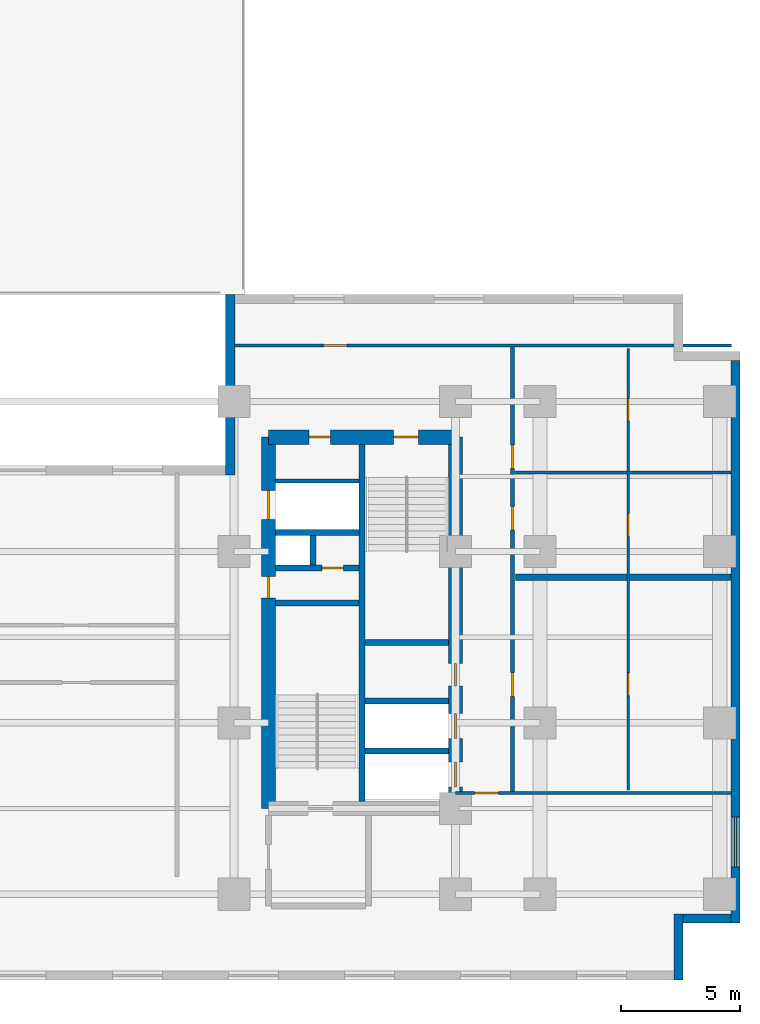
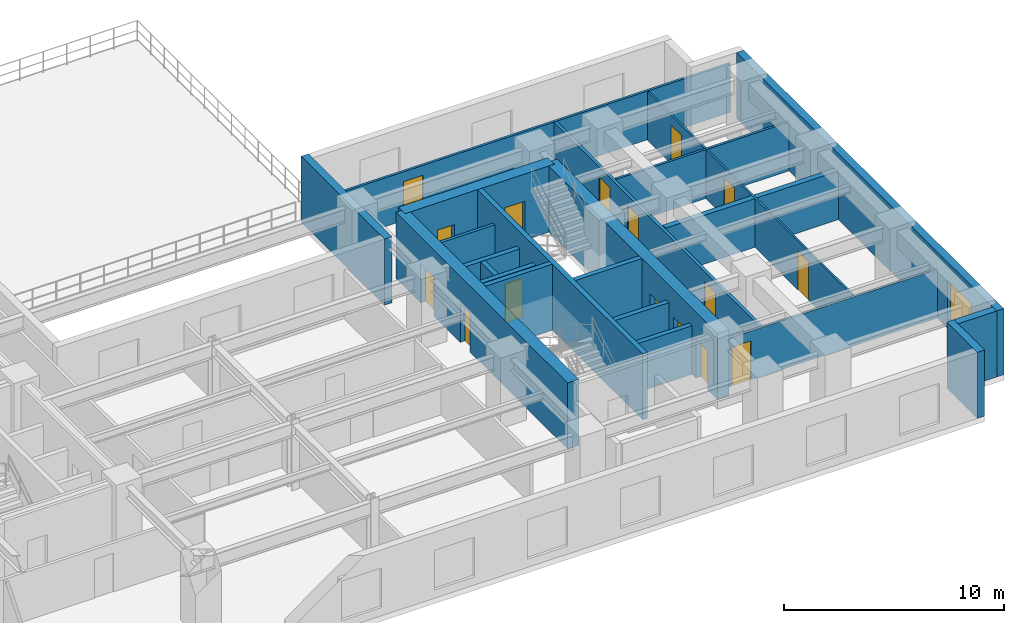
# One storey, part 5 of 10: 22 walls, 16 doors, 1 window, 17 openings.
"""IFC4 building model written with IfcOpenShell, lengths in metres."""

import ifcopenshell
import ifcopenshell.guid

model = None  # the IFC model being written
_history = None  # IfcOwnerHistory: only IFC2X3 demands one
_inside = {}  # id of a spatial element -> (the spatial element, [elements in it])
_under = {}  # id of a project, library or spatial element -> (it, [spatial elements below it])
_declared = {}  # id of a project -> (the project, [libraries it declares])
_typed = {}  # id of a type object -> (the type object, [elements of that type])
_made_of = {}  # id of a material, layer set ... -> (it, [elements and type objects made of it])


def new_model(schema):
    """Start an empty IFC model of exactly this schema.

    Asked for "IFC4X3", IfcOpenShell would pick the latest addendum, in which some entities
    have other attributes; the version numbers below select the first issue.
    IFC2X3 requires an IfcOwnerHistory on every rooted entity: one is made here for all.
    """
    global model, _history
    if schema == "IFC4X3":
        model = ifcopenshell.file(schema_version=(4, 3, 0, 0))
    else:
        model = ifcopenshell.file(schema=schema)
    _inside.clear()
    _under.clear()
    _declared.clear()
    _typed.clear()
    _made_of.clear()
    _history = None
    if model.schema == "IFC2X3":
        org = make("IfcOrganization", Name="unknown")
        user = make(
            "IfcPersonAndOrganization",
            ThePerson=make("IfcPerson", FamilyName="unknown"),
            TheOrganization=org,
        )
        app = make(
            "IfcApplication",
            ApplicationDeveloper=org,
            Version="unknown",
            ApplicationFullName="unknown",
            ApplicationIdentifier="unknown",
        )
        _history = make(
            "IfcOwnerHistory",
            OwningUser=user,
            OwningApplication=app,
            ChangeAction="ADDED",
            CreationDate=0,
        )
    return model


def make(cls, **values):
    """One entity of the class cls with the attributes given. An attribute that is None is left unset."""
    return model.create_entity(
        cls, **{name: value for name, value in values.items() if value is not None}
    )


def entity(cls, *values):
    """Any entity or typed value of the class cls, its attributes in the order of the schema. None: left unset."""
    e = model.create_entity(cls)
    for i, value in enumerate(values):
        if value is not None:
            e[i] = value
    return e


def rooted(cls, **values):
    """An entity with a GlobalId (a new one), such as an element, a storey or a relation."""
    return make(cls, GlobalId=ifcopenshell.guid.new(), OwnerHistory=_history, **values)


def si_unit(unit_type, name, prefix=None):
    """IfcSIUnit, for example si_unit("LENGTHUNIT", "METRE", prefix="MILLI")."""
    return make("IfcSIUnit", UnitType=unit_type, Prefix=prefix, Name=name)


def converted_unit(unit_type, name, factor, base, dimensions=None, offset=None):
    """IfcConversionBasedUnit, such as the inch: factor (a typed value) times the base unit."""
    return make(
        "IfcConversionBasedUnit"
        if offset is None
        else "IfcConversionBasedUnitWithOffset",
        ConversionOffset=offset,
        Dimensions=None
        if dimensions is None
        else entity("IfcDimensionalExponents", *dimensions),
        UnitType=unit_type,
        Name=name,
        ConversionFactor=make(
            "IfcMeasureWithUnit", ValueComponent=factor, UnitComponent=base
        ),
    )


def assignment(units):
    """IfcUnitAssignment: the units of a project."""
    return None if units is None else make("IfcUnitAssignment", Units=units)


def point(xyz):
    """IfcCartesianPoint."""
    return None if xyz is None else make("IfcCartesianPoint", Coordinates=xyz)


def direction(xyz):
    """IfcDirection."""
    return None if xyz is None else make("IfcDirection", DirectionRatios=xyz)


def frame(location, z_axis=None, x_axis=None):
    """IfcAxis2Placement3D, a coordinate frame: its origin and axes. An axis left out is left unset."""
    return make(
        "IfcAxis2Placement3D",
        Location=point(location),
        Axis=direction(z_axis),
        RefDirection=direction(x_axis),
    )


def frame_2d(location, x_axis=None):
    """IfcAxis2Placement2D, a coordinate frame in the plane: its origin and x axis."""
    return make(
        "IfcAxis2Placement2D", Location=point(location), RefDirection=direction(x_axis)
    )


def origin_with_axes():
    """The frame at (0, 0, 0) with the z axis (0, 0, 1) and the x axis (1, 0, 0) written out."""
    return frame((0.0, 0.0, 0.0), z_axis=(0.0, 0.0, 1.0), x_axis=(1.0, 0.0, 0.0))


def origin_2d_with_axis():
    """The frame at (0, 0) in the plane with the x axis (1, 0) written out."""
    return frame_2d((0.0, 0.0), x_axis=(1.0, 0.0))


def place(relative_to, where):
    """IfcLocalPlacement: puts the frame where relative to a parent placement (None: the world)."""
    return make(
        "IfcLocalPlacement", PlacementRelTo=relative_to, RelativePlacement=where
    )


def context(
    kind, dimensions, precision=None, world=None, true_north=None, identifier=None
):
    """IfcGeometricRepresentationContext, for example the 3D "Model" context."""
    return make(
        "IfcGeometricRepresentationContext",
        ContextIdentifier=identifier,
        ContextType=kind,
        CoordinateSpaceDimension=dimensions,
        Precision=precision,
        WorldCoordinateSystem=world,
        TrueNorth=true_north,
    )


def subcontext(parent, identifier, kind, view, scale=None):
    """IfcGeometricRepresentationSubContext, for example "Body" below "Model"."""
    return make(
        "IfcGeometricRepresentationSubContext",
        ContextIdentifier=identifier,
        ContextType=kind,
        ParentContext=parent,
        TargetScale=scale,
        TargetView=view,
    )


def project(units=None, contexts=None):
    """IfcProject with its units and contexts."""
    return rooted(
        "IfcProject",
        Name="project",
        RepresentationContexts=contexts,
        UnitsInContext=assignment(units),
    )


def spatial(cls, under=None, at=None, **own):
    """A site, building, storey or space (cls), placed at a placement, below another one or the project."""
    s = rooted(cls, ObjectPlacement=at, **own)
    if under is not None:
        _under.setdefault(under.id(), (under, []))[1].append(s)
    return s


def polyline(points):
    """IfcPolyline through the points."""
    return make("IfcPolyline", Points=[point(p) for p in points])


def profile(cls, at=None, kind="AREA", **sizes):
    """A parametric profile (cls). Its sizes go by their IFC names, for example OverallWidth=200.0."""
    return make(cls, ProfileType=kind, Position=at, **sizes)


def rectangle(**sizes):
    """IfcRectangleProfileDef."""
    return profile("IfcRectangleProfileDef", **sizes)


def outline(outer, holes=None, kind="AREA"):
    """IfcArbitraryClosedProfileDef: a profile drawn as a closed curve; with holes, ...WithVoids."""
    if holes is None:
        return make("IfcArbitraryClosedProfileDef", ProfileType=kind, OuterCurve=outer)
    return make(
        "IfcArbitraryProfileDefWithVoids",
        ProfileType=kind,
        OuterCurve=outer,
        InnerCurves=holes,
    )


def extrude(swept, where, along, depth):
    """IfcExtrudedAreaSolid: the profile swept, set in the frame where, extruded along a direction by depth."""
    return make(
        "IfcExtrudedAreaSolid",
        SweptArea=swept,
        Position=where,
        ExtrudedDirection=direction(along),
        Depth=depth,
    )


def shape(context_of_items, identifier, shape_type, items):
    """IfcShapeRepresentation: the items that make up one representation, for example the "Body"."""
    return make(
        "IfcShapeRepresentation",
        ContextOfItems=context_of_items,
        RepresentationIdentifier=identifier,
        RepresentationType=shape_type,
        Items=items,
    )


def material(Name=None, Category=None):
    """IfcMaterial."""
    return make("IfcMaterial", Name=Name, Category=Category)


def layer(
    of_material, thickness, ventilated=None, Name=None, Category=None, Priority=None
):
    """IfcMaterialLayer: one layer of a wall or slab, of a material (None: an air gap)."""
    return make(
        "IfcMaterialLayer",
        Material=of_material,
        LayerThickness=thickness,
        IsVentilated=ventilated,
        Name=Name,
        Category=Category,
        Priority=Priority,
    )


def layer_set(layers, Name=None):
    """IfcMaterialLayerSet."""
    return make("IfcMaterialLayerSet", MaterialLayers=layers, LayerSetName=Name)


def made_of(thing, what):
    """Note that an element or type object is made of a material, layer set ...; save() writes the relation."""
    if what is not None:
        _made_of.setdefault(what.id(), (what, []))[1].append(thing)
    return thing


def type_object(cls, material=None, **own):
    """A type object (cls), such as IfcWallType, which elements share."""
    return made_of(rooted(cls, **own), material)


def element(
    cls,
    number,
    at=None,
    inside=None,
    cuts=None,
    type_object=None,
    material=None,
    context=None,
    identifier="Body",
    shape_type=None,
    held_by="IfcProductDefinitionShape",
    body=None,
    shapes=None,
    **own,
):
    """One element of the class cls, such as IfcWall. Its Tag is "e" and its number.

    at: its placement. inside: the storey or other place that contains it. cuts: it is an
    opening in that element (IfcRelVoidsElement). A single representation is given by context,
    identifier, shape_type and body (its items); several are given by shapes. held_by: the class
    of the entity that holds the representations. save() writes the other relations.
    """
    e = rooted(cls, Tag="e%d" % number, ObjectPlacement=at, **own)
    if body is not None:
        shapes = [shape(context, identifier, shape_type, body)]
    if shapes is not None:
        e.Representation = make(held_by, Representations=shapes)
    if inside is not None:
        _inside.setdefault(inside.id(), (inside, []))[1].append(e)
    if cuts is not None:
        rooted(
            "IfcRelVoidsElement", RelatingBuildingElement=cuts, RelatedOpeningElement=e
        )
    if type_object is not None:
        _typed.setdefault(type_object.id(), (type_object, []))[1].append(e)
    return made_of(e, material)


def fill(opening, filler):
    """IfcRelFillsElement: the door or window that sits in an opening."""
    return rooted(
        "IfcRelFillsElement",
        RelatingOpeningElement=opening,
        RelatedBuildingElement=filler,
    )


def aggregate(whole, parts):
    """IfcRelAggregates: a whole, such as a stair, and the parts it consists of."""
    return rooted("IfcRelAggregates", RelatingObject=whole, RelatedObjects=parts)


def save(model, path):
    """Write the relations noted so far, then the file.

    IfcRelAggregates (storeys below a building ...), IfcRelContainedInSpatialStructure (elements
    in a storey), IfcRelDefinesByType, IfcRelAssociatesMaterial and IfcRelDeclares: one each for
    every whole, place, type object, material and project.
    """
    for whole, parts in _under.values():
        aggregate(whole, parts)
    for where, things in _inside.values():
        rooted(
            "IfcRelContainedInSpatialStructure",
            RelatedElements=things,
            RelatingStructure=where,
        )
    for kind, things in _typed.values():
        rooted("IfcRelDefinesByType", RelatedObjects=things, RelatingType=kind)
    for what, things in _made_of.values():
        rooted("IfcRelAssociatesMaterial", RelatedObjects=things, RelatingMaterial=what)
    for by, libraries in _declared.values():
        rooted("IfcRelDeclares", RelatingContext=by, RelatedDefinitions=libraries)
    model.write(path)


model = new_model("IFC4")

# Units and contexts
model_context = context("Model", 3, precision=1e-05, world=origin_with_axes(), true_north=direction((0.0, 1.0)))
body_context = subcontext(model_context, "Body", "Model", "MODEL_VIEW")
ifc_project = project(units=[si_unit("LENGTHUNIT", "METRE"), si_unit("AREAUNIT", "SQUARE_METRE"), si_unit("VOLUMEUNIT", "CUBIC_METRE"), converted_unit("PLANEANGLEUNIT", "DEGREE", entity("IfcPlaneAngleMeasure", 0.017453292519943295), si_unit("PLANEANGLEUNIT", "RADIAN"), dimensions=[0, 0, 0, 0, 0, 0, 0]), si_unit("MASSUNIT", "GRAM", prefix="KILO"), si_unit("THERMODYNAMICTEMPERATUREUNIT", "KELVIN")], contexts=[model_context])

# Site, building, storey
site_placement = place(None, origin_with_axes())
site = spatial("IfcSite", under=ifc_project, at=site_placement, CompositionType="ELEMENT")
building_placement = place(site_placement, origin_with_axes())
building = spatial("IfcBuilding", under=site, at=building_placement, Name="Varnlund Millrace Tower", CompositionType="ELEMENT")
storey_placement = place(building_placement, frame((0.0, 0.0, 28.8), z_axis=(0.0, 0.0, 1.0), x_axis=(1.0, 0.0, 0.0)))
storey = spatial("IfcBuildingStorey", under=building, at=storey_placement, Name="L06", CompositionType="ELEMENT", Elevation=28.8)

# Wall, openings, doors
ifc_material_1 = material(Name="Concrete C80/95", Category="concrete")
ifc_layer_1 = layer(ifc_material_1, 0.6, Name="Concrete C80/95")
ifc_layer_set_1 = layer_set([ifc_layer_1], Name="Concrete C80/95")
wall_type_1 = type_object("IfcWallType", Name="Type-CoreWall-Shear-600-C80", PredefinedType="SHEAR", material=ifc_layer_set_1)
wall_1_placement = place(storey_placement, frame((40.2, 7.2, 0.0), z_axis=(0.0, 0.0, 1.0), x_axis=(0.0, 1.0, 0.0)))
wall_1 = element("IfcWall", 1, at=wall_1_placement, inside=storey, type_object=wall_type_1, Name="Type-CoreWall-Shear-600-C80", PredefinedType="SHEAR", context=body_context, shape_type="SweptSolid", body=[
    extrude(outline(polyline([(0.0, -0.3), (15.6, -0.3), (15.6, 0.3), (0.0, 0.3), (0.0, -0.3)])), origin_with_axes(), (0.0, 0.0, 1.0), 3.66),
])
opening_1_placement = place(wall_1_placement, frame((12.75, 0.0, 0.0), z_axis=(0.0, 0.0, 1.0), x_axis=(1.0, 0.0, 0.0)))
opening_1 = element("IfcOpeningElement", 2, at=opening_1_placement, cuts=wall_1, Name="Opening L06:LD-SRV2", PredefinedType="OPENING", context=body_context, shape_type="SweptSolid", body=[
    extrude(rectangle(XDim=1.2, YDim=0.62, at=origin_2d_with_axis()), origin_with_axes(), (0.0, 0.0, 1.0), 2.15),
])
opening_2_placement = place(wall_1_placement, frame((9.3, 0.0, 0.0), z_axis=(0.0, 0.0, 1.0), x_axis=(1.0, 0.0, 0.0)))
opening_2 = element("IfcOpeningElement", 3, at=opening_2_placement, cuts=wall_1, Name="Opening L06:DR-CB-JAN", PredefinedType="OPENING", context=body_context, shape_type="SweptSolid", body=[
    extrude(rectangle(XDim=0.9, YDim=0.62, at=origin_2d_with_axis()), origin_with_axes(), (0.0, 0.0, 1.0), 2.15),
])
ifc_material_2 = material(Name="Fire-rated hollow steel service closet door", Category="steel")
door_type_1 = type_object("IfcDoorType", Name="Type-FireDoor-Closet-900X2150", OperationType="NOTDEFINED", PredefinedType="DOOR", material=ifc_material_2)
door_1_placement = place(wall_1_placement, frame((9.3, 0.0, 0.0), z_axis=(0.0, 0.0, 1.0), x_axis=(1.0, 0.0, 0.0)))
door_1 = element("IfcDoor", 4, at=door_1_placement, inside=storey, type_object=door_type_1, Name="Type-FireDoor-Closet-900X2150", OperationType="SINGLE_SWING_RIGHT", OverallHeight=2.15, OverallWidth=0.9, PredefinedType="DOOR", context=body_context, shape_type="SweptSolid", body=[
    extrude(rectangle(XDim=0.9, YDim=0.09, at=origin_2d_with_axis()), origin_with_axes(), (0.0, 0.0, 1.0), 2.15),
])
fill(opening_2, door_1)
ifc_material_3 = material(Name="Heavy-duty freight sliding landing door")
door_type_2 = type_object("IfcDoorType", Name="Type-LiftLandingDoor-Service-1200X2150", OperationType="NOTDEFINED", PredefinedType="DOOR", material=ifc_material_3)
door_2_placement = place(wall_1_placement, frame((12.75, 0.0, 0.0), z_axis=(0.0, 0.0, 1.0), x_axis=(1.0, 0.0, 0.0)))
door_2 = element("IfcDoor", 5, at=door_2_placement, inside=storey, type_object=door_type_2, Name="Type-LiftLandingDoor-Service-1200X2150", OperationType="DOUBLE_DOOR_SLIDING", OverallHeight=2.15, OverallWidth=1.2, PredefinedType="DOOR", context=body_context, shape_type="SweptSolid", body=[
    extrude(rectangle(XDim=1.2, YDim=0.09, at=origin_2d_with_axis()), origin_with_axes(), (0.0, 0.0, 1.0), 2.15),
])
fill(opening_1, door_2)

wall_2_placement = place(storey_placement, frame((40.2, 22.8, 0.0), z_axis=(0.0, 0.0, 1.0), x_axis=(1.0, 0.0, 0.0)))
wall_2 = element("IfcWall", 6, at=wall_2_placement, inside=storey, type_object=wall_type_1, Name="Type-CoreWall-Shear-600-C80", PredefinedType="SHEAR", context=body_context, shape_type="SweptSolid", body=[
    extrude(outline(polyline([(0.0, -0.3), (7.85, -0.3), (7.85, 0.3), (0.0, 0.3), (0.0, -0.3)])), origin_with_axes(), (0.0, 0.0, 1.0), 3.66),
])
opening_3_placement = place(wall_2_placement, frame((5.775, 0.0, 0.0), z_axis=(0.0, 0.0, 1.0), x_axis=(1.0, 0.0, 0.0)))
opening_3 = element("IfcOpeningElement", 7, at=opening_3_placement, cuts=wall_2, Name="Opening L06:DR-STB2", PredefinedType="OPENING", context=body_context, shape_type="SweptSolid", body=[
    extrude(rectangle(XDim=1.05, YDim=0.62, at=origin_2d_with_axis()), origin_with_axes(), (0.0, 0.0, 1.0), 2.15),
])
opening_4_placement = place(wall_2_placement, frame((2.15, 0.0, 0.0), z_axis=(0.0, 0.0, 1.0), x_axis=(1.0, 0.0, 0.0)))
opening_4 = element("IfcOpeningElement", 8, at=opening_4_placement, cuts=wall_2, Name="Opening L06:DR-CB-NW", PredefinedType="OPENING", context=body_context, shape_type="SweptSolid", body=[
    extrude(rectangle(XDim=0.9, YDim=0.62, at=origin_2d_with_axis()), origin_with_axes(), (0.0, 0.0, 1.0), 2.15),
])
door_3_placement = place(wall_2_placement, frame((2.15, 0.0, 0.0), z_axis=(0.0, 0.0, 1.0), x_axis=(1.0, 0.0, 0.0)))
door_3 = element("IfcDoor", 9, at=door_3_placement, inside=storey, type_object=door_type_1, Name="Type-FireDoor-Closet-900X2150", OperationType="SINGLE_SWING_LEFT", OverallHeight=2.15, OverallWidth=0.9, PredefinedType="DOOR", context=body_context, shape_type="SweptSolid", body=[
    extrude(rectangle(XDim=0.9, YDim=0.09, at=origin_2d_with_axis()), origin_with_axes(), (0.0, 0.0, 1.0), 2.15),
])
fill(opening_4, door_3)
ifc_material_4 = material(Name="Fire-rated hollow steel door", Category="steel")
door_type_3 = type_object("IfcDoorType", Name="Type-FireDoor-Stair-1050X2150", OperationType="NOTDEFINED", PredefinedType="DOOR", material=ifc_material_4)
door_4_placement = place(wall_2_placement, frame((5.775, 0.0, 0.0), z_axis=(0.0, 0.0, 1.0), x_axis=(1.0, 0.0, 0.0)))
door_4 = element("IfcDoor", 10, at=door_4_placement, inside=storey, type_object=door_type_3, Name="Type-FireDoor-Stair-1050X2150", OperationType="SINGLE_SWING_RIGHT", OverallHeight=2.15, OverallWidth=1.05, PredefinedType="DOOR", context=body_context, shape_type="SweptSolid", body=[
    extrude(rectangle(XDim=1.05, YDim=0.09, at=origin_2d_with_axis()), origin_with_axes(), (0.0, 0.0, 1.0), 2.15),
])
fill(opening_3, door_4)

wall_3_placement = place(storey_placement, frame((48.05, 7.2, 0.0), z_axis=(0.0, 0.0, 1.0), x_axis=(0.0, 1.0, 0.0)))
wall_3 = element("IfcWall", 11, at=wall_3_placement, inside=storey, type_object=wall_type_1, Name="Type-CoreWall-Shear-600-C80", PredefinedType="SHEAR", context=body_context, shape_type="SweptSolid", body=[
    extrude(outline(polyline([(0.0, -0.3), (15.6, -0.3), (15.6, 0.3), (0.0, 0.3), (0.0, -0.3)])), origin_with_axes(), (0.0, 0.0, 1.0), 3.66),
])
opening_5_placement = place(wall_3_placement, frame((1.425, 0.0, 0.0), z_axis=(0.0, 0.0, 1.0), x_axis=(1.0, 0.0, 0.0)))
opening_5 = element("IfcOpeningElement", 12, at=opening_5_placement, cuts=wall_3, Name="Opening L06:LD-ELV-L3", PredefinedType="OPENING", context=body_context, shape_type="SweptSolid", body=[
    extrude(rectangle(XDim=1.05, YDim=0.62, at=origin_2d_with_axis()), origin_with_axes(), (0.0, 0.0, 1.0), 2.15),
])
opening_6_placement = place(wall_3_placement, frame((3.475, 0.0, 0.0), z_axis=(0.0, 0.0, 1.0), x_axis=(1.0, 0.0, 0.0)))
opening_6 = element("IfcOpeningElement", 13, at=opening_6_placement, cuts=wall_3, Name="Opening L06:LD-ELV-L4", PredefinedType="OPENING", context=body_context, shape_type="SweptSolid", body=[
    extrude(rectangle(XDim=1.05, YDim=0.62, at=origin_2d_with_axis()), origin_with_axes(), (0.0, 0.0, 1.0), 2.15),
])
opening_7_placement = place(wall_3_placement, frame((5.625, 0.0, 0.0), z_axis=(0.0, 0.0, 1.0), x_axis=(1.0, 0.0, 0.0)))
opening_7 = element("IfcOpeningElement", 14, at=opening_7_placement, cuts=wall_3, Name="Opening L06:DR-CB-WC", PredefinedType="OPENING", context=body_context, shape_type="SweptSolid", body=[
    extrude(rectangle(XDim=0.95, YDim=0.62, at=origin_2d_with_axis()), origin_with_axes(), (0.0, 0.0, 1.0), 2.15),
])
ifc_material_5 = material(Name="Fire-rated hollow steel core service door", Category="steel")
door_type_4 = type_object("IfcDoorType", Name="Type-FireDoor-Service-950X2150", OperationType="NOTDEFINED", PredefinedType="DOOR", material=ifc_material_5)
door_5_placement = place(wall_3_placement, frame((5.625, 0.0, 0.0), z_axis=(0.0, 0.0, 1.0), x_axis=(1.0, 0.0, 0.0)))
door_5 = element("IfcDoor", 15, at=door_5_placement, inside=storey, type_object=door_type_4, Name="Type-FireDoor-Service-950X2150", OperationType="SINGLE_SWING_LEFT", OverallHeight=2.15, OverallWidth=0.95, PredefinedType="DOOR", context=body_context, shape_type="SweptSolid", body=[
    extrude(rectangle(XDim=0.95, YDim=0.09, at=origin_2d_with_axis()), origin_with_axes(), (0.0, 0.0, 1.0), 2.15),
])
fill(opening_7, door_5)
ifc_material_6 = material(Name="Architectural bronze sliding landing door")
door_type_5 = type_object("IfcDoorType", Name="Type-LiftLandingDoor-Compact-1050X2150", OperationType="NOTDEFINED", PredefinedType="DOOR", material=ifc_material_6)
door_6_placement = place(wall_3_placement, frame((1.425, 0.0, 0.0), z_axis=(0.0, 0.0, 1.0), x_axis=(1.0, 0.0, 0.0)))
door_6 = element("IfcDoor", 16, at=door_6_placement, inside=storey, type_object=door_type_5, Name="Type-LiftLandingDoor-Compact-1050X2150", OperationType="SLIDING_TO_LEFT", OverallHeight=2.15, OverallWidth=1.05, PredefinedType="DOOR", context=body_context, shape_type="SweptSolid", body=[
    extrude(rectangle(XDim=1.05, YDim=0.09, at=origin_2d_with_axis()), origin_with_axes(), (0.0, 0.0, 1.0), 2.15),
])
fill(opening_5, door_6)
door_7_placement = place(wall_3_placement, frame((3.475, 0.0, 0.0), z_axis=(0.0, 0.0, 1.0), x_axis=(1.0, 0.0, 0.0)))
door_7 = element("IfcDoor", 17, at=door_7_placement, inside=storey, type_object=door_type_5, Name="Type-LiftLandingDoor-Compact-1050X2150", OperationType="SLIDING_TO_RIGHT", OverallHeight=2.15, OverallWidth=1.05, PredefinedType="DOOR", context=body_context, shape_type="SweptSolid", body=[
    extrude(rectangle(XDim=1.05, YDim=0.09, at=origin_2d_with_axis()), origin_with_axes(), (0.0, 0.0, 1.0), 2.15),
])
fill(opening_6, door_7)

# Wall
ifc_material_7 = material(Name="Precast concrete C50/60", Category="concrete")
ifc_layer_2 = layer(ifc_material_7, 0.38, Name="Precast concrete C50/60")
ifc_layer_set_2 = layer_set([ifc_layer_2], Name="Precast concrete C50/60")
wall_type_2 = type_object("IfcWallType", Name="Type-ExtWall-Precast-Tube-380", PredefinedType="SOLIDWALL", material=ifc_layer_set_2)
wall_4_placement = place(storey_placement, frame((38.59, 21.22, 0.0), z_axis=(0.0, 0.0, 1.0), x_axis=(0.0, 1.0, 0.0)))
element("IfcWall", 18, at=wall_4_placement, inside=storey, type_object=wall_type_2, Name="Type-ExtWall-Precast-Tube-380", PredefinedType="SOLIDWALL", context=body_context, shape_type="SweptSolid", body=[
    extrude(outline(polyline([(0.0, -0.19), (7.58, -0.19), (7.58, 0.19), (0.0, 0.19), (0.0, -0.19)])), origin_with_axes(), (0.0, 0.0, 1.0), 3.66),
])

# Wall, opening, window
wall_5_placement = place(storey_placement, frame((59.81, 26.02, 0.0), z_axis=(0.0, 0.0, 1.0), x_axis=(0.0, -1.0, 0.0)))
wall_5 = element("IfcWall", 19, at=wall_5_placement, inside=storey, type_object=wall_type_2, Name="Type-ExtWall-Precast-Tube-380", PredefinedType="SOLIDWALL", context=body_context, shape_type="SweptSolid", body=[
    extrude(outline(polyline([(0.0, -0.19), (23.62, -0.19), (23.62, 0.19), (0.0, 0.19), (0.0, -0.19)])), origin_with_axes(), (0.0, 0.0, 1.0), 3.66),
])
opening_8_placement = place(wall_5_placement, frame((20.218, 0.0, 0.45), z_axis=(0.0, 0.0, 1.0), x_axis=(1.0, 0.0, 0.0)))
opening_8 = element("IfcOpeningElement", 20, at=opening_8_placement, cuts=wall_5, Name="Opening L06:WN-04", PredefinedType="OPENING", context=body_context, shape_type="SweptSolid", body=[
    extrude(rectangle(XDim=2.1, YDim=0.4, at=origin_2d_with_axis()), origin_with_axes(), (0.0, 0.0, 1.0), 2.2),
])
ifc_material_8 = material(Name="Argon low-e triple glazing in thermally broken bronze frame", Category="glass")
window_type = type_object("IfcWindowType", Name="Type-Window-Punched-2100X2200", PartitioningType="SINGLE_PANEL", PredefinedType="WINDOW", material=ifc_material_8)
window_placement = place(wall_5_placement, frame((20.218, 0.0, 0.45), z_axis=(0.0, 0.0, 1.0), x_axis=(1.0, 0.0, 0.0)))
window = element("IfcWindow", 21, at=window_placement, inside=storey, type_object=window_type, Name="Type-Window-Punched-2100X2200", OverallHeight=2.2, OverallWidth=2.1, PredefinedType="WINDOW", context=body_context, shape_type="SweptSolid", body=[
    extrude(rectangle(XDim=2.1, YDim=0.09, at=origin_2d_with_axis()), origin_with_axes(), (0.0, 0.0, 1.0), 2.2),
])
fill(opening_8, window)

# Walls
wall_6_placement = place(storey_placement, frame((59.62, 2.59, 0.0), z_axis=(0.0, 0.0, 1.0), x_axis=(-1.0, 0.0, 0.0)))
element("IfcWall", 22, at=wall_6_placement, inside=storey, type_object=wall_type_2, Name="Type-ExtWall-Precast-Tube-380", PredefinedType="SOLIDWALL", context=body_context, shape_type="SweptSolid", body=[
    extrude(outline(polyline([(0.0, -0.19), (2.02, -0.19), (2.02, 0.19), (0.0, 0.19), (0.0, -0.19)])), origin_with_axes(), (0.0, 0.0, 1.0), 3.66),
])
wall_7_placement = place(storey_placement, frame((57.41, 2.78, 0.0), z_axis=(0.0, 0.0, 1.0), x_axis=(0.0, -1.0, 0.0)))
element("IfcWall", 23, at=wall_7_placement, inside=storey, type_object=wall_type_2, Name="Type-ExtWall-Precast-Tube-380", PredefinedType="SOLIDWALL", context=body_context, shape_type="SweptSolid", body=[
    extrude(outline(polyline([(0.0, -0.19), (2.78, -0.19), (2.78, 0.19), (0.0, 0.19), (0.0, -0.19)])), origin_with_axes(), (0.0, 0.0, 1.0), 3.66),
])
ifc_material_9 = material(Name="Double-stud STC-60 conference acoustic partition", Category="gypsum")
ifc_layer_3 = layer(ifc_material_9, 0.28, Name="Double-stud STC-60 conference acoustic partition")
ifc_layer_set_3 = layer_set([ifc_layer_3], Name="Double-stud STC-60 conference acoustic partition")
wall_type_3 = type_object("IfcWallType", Name="Type-Partition-Acoustic-280", PredefinedType="PARTITIONING", material=ifc_layer_set_3)
wall_8_placement = place(storey_placement, frame((50.57, 16.918, 0.0), z_axis=(0.0, 0.0, 1.0), x_axis=(1.0, 0.0, 0.0)))
element("IfcWall", 24, at=wall_8_placement, inside=storey, type_object=wall_type_3, Name="Type-Partition-Acoustic-280", PredefinedType="PARTITIONING", context=body_context, shape_type="SweptSolid", body=[
    extrude(outline(polyline([(0.0, -0.14), (9.055, -0.14), (9.055, 0.14), (0.0, 0.14), (0.0, -0.14)])), origin_with_axes(), (0.0, 0.0, 1.0), 2.7),
])
ifc_material_10 = material(Name="Fire-rated gypsum board on cold-formed steel framing", Category="steel")
ifc_layer_4 = layer(ifc_material_10, 0.16, Name="Fire-rated gypsum board on cold-formed steel framing")
ifc_layer_set_4 = layer_set([ifc_layer_4], Name="Fire-rated gypsum board on cold-formed steel framing")
wall_type_4 = type_object("IfcWallType", Name="Type-Partition-Corridor-160", PredefinedType="PARTITIONING", material=ifc_layer_set_4)
wall_9_placement = place(storey_placement, frame((40.5, 20.96, 0.0), z_axis=(0.0, 0.0, 1.0), x_axis=(1.0, 0.0, 0.0)))
element("IfcWall", 25, at=wall_9_placement, inside=storey, type_object=wall_type_4, Name="Type-Partition-Corridor-160", PredefinedType="PARTITIONING", context=body_context, shape_type="SweptSolid", body=[
    extrude(outline(polyline([(0.0, -0.08), (3.5, -0.08), (3.5, 0.08), (0.0, 0.08), (0.0, -0.08)])), origin_with_axes(), (0.0, 0.0, 1.0), 2.7),
])

# Wall, openings, doors
wall_10_placement = place(storey_placement, frame((50.45, 7.85, 0.0), z_axis=(0.0, 0.0, 1.0), x_axis=(0.0, 1.0, 0.0)))
wall_10 = element("IfcWall", 26, at=wall_10_placement, inside=storey, type_object=wall_type_4, Name="Type-Partition-Corridor-160", PredefinedType="PARTITIONING", context=body_context, shape_type="SweptSolid", body=[
    extrude(outline(polyline([(0.0, -0.08), (18.8, -0.08), (18.8, 0.08), (0.0, 0.08), (0.0, -0.08)])), origin_with_axes(), (0.0, 0.0, 1.0), 2.7),
])
opening_9_placement = place(wall_10_placement, frame((4.564, 0.0, 0.0), z_axis=(0.0, 0.0, 1.0), x_axis=(1.0, 0.0, 0.0)))
opening_9 = element("IfcOpeningElement", 27, at=opening_9_placement, cuts=wall_10, Name="Opening L06:DR-WB-01", PredefinedType="OPENING", context=body_context, shape_type="SweptSolid", body=[
    extrude(rectangle(XDim=1.0, YDim=0.18, at=origin_2d_with_axis()), origin_with_axes(), (0.0, 0.0, 1.0), 2.15),
])
opening_10_placement = place(wall_10_placement, frame((11.541, 0.0, 0.0), z_axis=(0.0, 0.0, 1.0), x_axis=(1.0, 0.0, 0.0)))
opening_10 = element("IfcOpeningElement", 28, at=opening_10_placement, cuts=wall_10, Name="Opening L06:DR-WB-02", PredefinedType="OPENING", context=body_context, shape_type="SweptSolid", body=[
    extrude(rectangle(XDim=1.0, YDim=0.18, at=origin_2d_with_axis()), origin_with_axes(), (0.0, 0.0, 1.0), 2.15),
])
opening_11_placement = place(wall_10_placement, frame((14.125, 0.0, 0.0), z_axis=(0.0, 0.0, 1.0), x_axis=(1.0, 0.0, 0.0)))
opening_11 = element("IfcOpeningElement", 29, at=opening_11_placement, cuts=wall_10, Name="Opening L06:DR-WB-03", PredefinedType="OPENING", context=body_context, shape_type="SweptSolid", body=[
    extrude(rectangle(XDim=1.0, YDim=0.18, at=origin_2d_with_axis()), origin_with_axes(), (0.0, 0.0, 1.0), 2.15),
])
ifc_material_11 = material(Name="Solid-core white oak and bronze frame door")
door_type_6 = type_object("IfcDoorType", Name="Type-IntDoor-Office-1000X2150", OperationType="NOTDEFINED", PredefinedType="DOOR", material=ifc_material_11)
door_8_placement = place(wall_10_placement, frame((4.564, 0.0, 0.0), z_axis=(0.0, 0.0, 1.0), x_axis=(1.0, 0.0, 0.0)))
door_8 = element("IfcDoor", 30, at=door_8_placement, inside=storey, type_object=door_type_6, Name="Type-IntDoor-Office-1000X2150", OperationType="SINGLE_SWING_LEFT", OverallHeight=2.15, OverallWidth=1.0, PredefinedType="DOOR", context=body_context, shape_type="SweptSolid", body=[
    extrude(rectangle(XDim=1.0, YDim=0.09, at=origin_2d_with_axis()), origin_with_axes(), (0.0, 0.0, 1.0), 2.15),
])
fill(opening_9, door_8)
door_9_placement = place(wall_10_placement, frame((11.541, 0.0, 0.0), z_axis=(0.0, 0.0, 1.0), x_axis=(1.0, 0.0, 0.0)))
door_9 = element("IfcDoor", 31, at=door_9_placement, inside=storey, type_object=door_type_6, Name="Type-IntDoor-Office-1000X2150", OperationType="SINGLE_SWING_RIGHT", OverallHeight=2.15, OverallWidth=1.0, PredefinedType="DOOR", context=body_context, shape_type="SweptSolid", body=[
    extrude(rectangle(XDim=1.0, YDim=0.09, at=origin_2d_with_axis()), origin_with_axes(), (0.0, 0.0, 1.0), 2.15),
])
fill(opening_10, door_9)
door_10_placement = place(wall_10_placement, frame((14.125, 0.0, 0.0), z_axis=(0.0, 0.0, 1.0), x_axis=(1.0, 0.0, 0.0)))
door_10 = element("IfcDoor", 32, at=door_10_placement, inside=storey, type_object=door_type_6, Name="Type-IntDoor-Office-1000X2150", OperationType="SINGLE_SWING_LEFT", OverallHeight=2.15, OverallWidth=1.0, PredefinedType="DOOR", context=body_context, shape_type="SweptSolid", body=[
    extrude(rectangle(XDim=1.0, YDim=0.09, at=origin_2d_with_axis()), origin_with_axes(), (0.0, 0.0, 1.0), 2.15),
])
fill(opening_11, door_10)

ifc_material_12 = material(Name="Architectural bronze and acoustic glass office front", Category="glass")
ifc_layer_5 = layer(ifc_material_12, 0.1, Name="Architectural bronze and acoustic glass office front")
ifc_layer_set_5 = layer_set([ifc_layer_5], Name="Architectural bronze and acoustic glass office front")
wall_type_5 = type_object("IfcWallType", Name="Type-Partition-Glazed-100", PredefinedType="PARTITIONING", material=ifc_layer_set_5)
wall_11_placement = place(storey_placement, frame((55.3, 7.98, 0.0), z_axis=(0.0, 0.0, 1.0), x_axis=(0.0, 1.0, 0.0)))
wall_11 = element("IfcWall", 33, at=wall_11_placement, inside=storey, type_object=wall_type_5, Name="Type-Partition-Glazed-100", PredefinedType="PARTITIONING", context=body_context, shape_type="SweptSolid", body=[
    extrude(outline(polyline([(0.0, -0.05), (18.54, -0.05), (18.54, 0.05), (0.0, 0.05), (0.0, -0.05)])), origin_with_axes(), (0.0, 0.0, 1.0), 2.7),
])
opening_12_placement = place(wall_11_placement, frame((4.434, 0.0, 0.0), z_axis=(0.0, 0.0, 1.0), x_axis=(1.0, 0.0, 0.0)))
opening_12 = element("IfcOpeningElement", 34, at=opening_12_placement, cuts=wall_11, Name="Opening L06:DR-WB-S01", PredefinedType="OPENING", context=body_context, shape_type="SweptSolid", body=[
    extrude(rectangle(XDim=0.95, YDim=0.12, at=origin_2d_with_axis()), origin_with_axes(), (0.0, 0.0, 1.0), 2.15),
])
opening_13_placement = place(wall_11_placement, frame((11.1315, 0.0, 0.0), z_axis=(0.0, 0.0, 1.0), x_axis=(1.0, 0.0, 0.0)))
opening_13 = element("IfcOpeningElement", 35, at=opening_13_placement, cuts=wall_11, Name="Opening L06:DR-WB-S02", PredefinedType="OPENING", context=body_context, shape_type="SweptSolid", body=[
    extrude(rectangle(XDim=0.95, YDim=0.12, at=origin_2d_with_axis()), origin_with_axes(), (0.0, 0.0, 1.0), 2.15),
])
opening_14_placement = place(wall_11_placement, frame((15.9675, 0.0, 0.0), z_axis=(0.0, 0.0, 1.0), x_axis=(1.0, 0.0, 0.0)))
opening_14 = element("IfcOpeningElement", 36, at=opening_14_placement, cuts=wall_11, Name="Opening L06:DR-WB-S03", PredefinedType="OPENING", context=body_context, shape_type="SweptSolid", body=[
    extrude(rectangle(XDim=0.95, YDim=0.12, at=origin_2d_with_axis()), origin_with_axes(), (0.0, 0.0, 1.0), 2.15),
])
ifc_material_13 = material(Name="Solid-core acoustic office door")
door_type_7 = type_object("IfcDoorType", Name="Type-IntDoor-Tenant-950X2150", OperationType="NOTDEFINED", PredefinedType="DOOR", material=ifc_material_13)
door_11_placement = place(wall_11_placement, frame((4.434, 0.0, 0.0), z_axis=(0.0, 0.0, 1.0), x_axis=(1.0, 0.0, 0.0)))
door_11 = element("IfcDoor", 37, at=door_11_placement, inside=storey, type_object=door_type_7, Name="Type-IntDoor-Tenant-950X2150", OperationType="SINGLE_SWING_LEFT", OverallHeight=2.15, OverallWidth=0.95, PredefinedType="DOOR", context=body_context, shape_type="SweptSolid", body=[
    extrude(rectangle(XDim=0.95, YDim=0.06, at=origin_2d_with_axis()), origin_with_axes(), (0.0, 0.0, 1.0), 2.15),
])
fill(opening_12, door_11)
door_12_placement = place(wall_11_placement, frame((11.1315, 0.0, 0.0), z_axis=(0.0, 0.0, 1.0), x_axis=(1.0, 0.0, 0.0)))
door_12 = element("IfcDoor", 38, at=door_12_placement, inside=storey, type_object=door_type_7, Name="Type-IntDoor-Tenant-950X2150", OperationType="SINGLE_SWING_LEFT", OverallHeight=2.15, OverallWidth=0.95, PredefinedType="DOOR", context=body_context, shape_type="SweptSolid", body=[
    extrude(rectangle(XDim=0.95, YDim=0.06, at=origin_2d_with_axis()), origin_with_axes(), (0.0, 0.0, 1.0), 2.15),
])
fill(opening_13, door_12)
door_13_placement = place(wall_11_placement, frame((15.9675, 0.0, 0.0), z_axis=(0.0, 0.0, 1.0), x_axis=(1.0, 0.0, 0.0)))
door_13 = element("IfcDoor", 39, at=door_13_placement, inside=storey, type_object=door_type_7, Name="Type-IntDoor-Tenant-950X2150", OperationType="SINGLE_SWING_LEFT", OverallHeight=2.15, OverallWidth=0.95, PredefinedType="DOOR", context=body_context, shape_type="SweptSolid", body=[
    extrude(rectangle(XDim=0.95, YDim=0.06, at=origin_2d_with_axis()), origin_with_axes(), (0.0, 0.0, 1.0), 2.15),
])
fill(opening_14, door_13)

# Wall, opening, door
ifc_material_14 = material(Name="Gypsum board tenant partition", Category="gypsum")
ifc_layer_6 = layer(ifc_material_14, 0.125, Name="Gypsum board tenant partition")
ifc_layer_set_6 = layer_set([ifc_layer_6], Name="Gypsum board tenant partition")
wall_type_6 = type_object("IfcWallType", Name="Type-Partition-Tenant-125", PredefinedType="PARTITIONING", material=ifc_layer_set_6)
wall_12_placement = place(storey_placement, frame((59.64, 7.85, 0.0), z_axis=(0.0, 0.0, 1.0), x_axis=(-1.0, 0.0, 0.0)))
wall_12 = element("IfcWall", 40, at=wall_12_placement, inside=storey, type_object=wall_type_6, Name="Type-Partition-Tenant-125", PredefinedType="PARTITIONING", context=body_context, shape_type="SweptSolid", body=[
    extrude(outline(polyline([(0.0, -0.0625), (11.59, -0.0625), (11.59, 0.0625), (0.0, 0.0625), (0.0, -0.0625)])), origin_with_axes(), (0.0, 0.0, 1.0), 2.7),
])
opening_15_placement = place(wall_12_placement, frame((10.29, 0.0, 0.0), z_axis=(0.0, 0.0, 1.0), x_axis=(1.0, 0.0, 0.0)))
opening_15 = element("IfcOpeningElement", 41, at=opening_15_placement, cuts=wall_12, Name="Opening L06:DR-WBS-01", PredefinedType="OPENING", context=body_context, shape_type="SweptSolid", body=[
    extrude(rectangle(XDim=1.0, YDim=0.145, at=origin_2d_with_axis()), origin_with_axes(), (0.0, 0.0, 1.0), 2.15),
])
door_14_placement = place(wall_12_placement, frame((10.29, 0.0, 0.0), z_axis=(0.0, 0.0, 1.0), x_axis=(1.0, 0.0, 0.0)))
door_14 = element("IfcDoor", 42, at=door_14_placement, inside=storey, type_object=door_type_6, Name="Type-IntDoor-Office-1000X2150", OperationType="SINGLE_SWING_LEFT", OverallHeight=2.15, OverallWidth=1.0, PredefinedType="DOOR", context=body_context, shape_type="SweptSolid", body=[
    extrude(rectangle(XDim=1.0, YDim=0.075, at=origin_2d_with_axis()), origin_with_axes(), (0.0, 0.0, 1.0), 2.15),
])
fill(opening_15, door_14)

wall_13_placement = place(storey_placement, frame((38.76, 26.65, 0.0), z_axis=(0.0, 0.0, 1.0), x_axis=(1.0, 0.0, 0.0)))
wall_13 = element("IfcWall", 43, at=wall_13_placement, inside=storey, type_object=wall_type_6, Name="Type-Partition-Tenant-125", PredefinedType="PARTITIONING", context=body_context, shape_type="SweptSolid", body=[
    extrude(outline(polyline([(0.0, -0.0625), (20.88, -0.0625), (20.88, 0.0625), (0.0, 0.0625), (0.0, -0.0625)])), origin_with_axes(), (0.0, 0.0, 1.0), 2.7),
])
opening_16_placement = place(wall_13_placement, frame((4.24, 0.0, 0.0), z_axis=(0.0, 0.0, 1.0), x_axis=(1.0, 0.0, 0.0)))
opening_16 = element("IfcOpeningElement", 44, at=opening_16_placement, cuts=wall_13, Name="Opening L06:DR-WBN-01", PredefinedType="OPENING", context=body_context, shape_type="SweptSolid", body=[
    extrude(rectangle(XDim=1.0, YDim=0.145, at=origin_2d_with_axis()), origin_with_axes(), (0.0, 0.0, 1.0), 2.15),
])
door_15_placement = place(wall_13_placement, frame((4.24, 0.0, 0.0), z_axis=(0.0, 0.0, 1.0), x_axis=(1.0, 0.0, 0.0)))
door_15 = element("IfcDoor", 45, at=door_15_placement, inside=storey, type_object=door_type_6, Name="Type-IntDoor-Office-1000X2150", OperationType="SINGLE_SWING_RIGHT", OverallHeight=2.15, OverallWidth=1.0, PredefinedType="DOOR", context=body_context, shape_type="SweptSolid", body=[
    extrude(rectangle(XDim=1.0, YDim=0.075, at=origin_2d_with_axis()), origin_with_axes(), (0.0, 0.0, 1.0), 2.15),
])
fill(opening_16, door_15)

# Wall
wall_14_placement = place(storey_placement, frame((50.57, 21.305, 0.0), z_axis=(0.0, 0.0, 1.0), x_axis=(1.0, 0.0, 0.0)))
element("IfcWall", 46, at=wall_14_placement, inside=storey, type_object=wall_type_6, Name="Type-Partition-Tenant-125", PredefinedType="PARTITIONING", context=body_context, shape_type="SweptSolid", body=[
    extrude(outline(polyline([(0.0, -0.0625), (9.055, -0.0625), (9.055, 0.0625), (0.0, 0.0625), (0.0, -0.0625)])), origin_with_axes(), (0.0, 0.0, 1.0), 2.7),
])

# Wall, opening, door
ifc_material_15 = material(Name="Concrete C60/75", Category="concrete")
ifc_layer_7 = layer(ifc_material_15, 0.25, Name="Concrete C60/75")
ifc_layer_set_7 = layer_set([ifc_layer_7], Name="Concrete C60/75")
wall_type_7 = type_object("IfcWallType", Name="Type-ShaftWall-Fire-250", PredefinedType="SOLIDWALL", material=ifc_layer_set_7)
wall_15_placement = place(storey_placement, frame((40.5, 17.3, 0.0), z_axis=(0.0, 0.0, 1.0), x_axis=(1.0, 0.0, 0.0)))
wall_15 = element("IfcWall", 47, at=wall_15_placement, inside=storey, type_object=wall_type_7, Name="Type-ShaftWall-Fire-250", PredefinedType="SOLIDWALL", context=body_context, shape_type="SweptSolid", body=[
    extrude(outline(polyline([(0.0, -0.125), (3.5, -0.125), (3.5, 0.125), (0.0, 0.125), (0.0, -0.125)])), origin_with_axes(), (0.0, 0.0, 1.0), 2.7),
])
opening_17_placement = place(wall_15_placement, frame((2.4, 0.0, 0.0), z_axis=(0.0, 0.0, 1.0), x_axis=(1.0, 0.0, 0.0)))
opening_17 = element("IfcOpeningElement", 48, at=opening_17_placement, cuts=wall_15, Name="Opening L06:DR-CB-ELC", PredefinedType="OPENING", context=body_context, shape_type="SweptSolid", body=[
    extrude(rectangle(XDim=0.9, YDim=0.27, at=origin_2d_with_axis()), origin_with_axes(), (0.0, 0.0, 1.0), 2.15),
])
door_16_placement = place(wall_15_placement, frame((2.4, 0.0, 0.0), z_axis=(0.0, 0.0, 1.0), x_axis=(1.0, 0.0, 0.0)))
door_16 = element("IfcDoor", 49, at=door_16_placement, inside=storey, type_object=door_type_1, Name="Type-FireDoor-Closet-900X2150", OperationType="SINGLE_SWING_LEFT", OverallHeight=2.15, OverallWidth=0.9, PredefinedType="DOOR", context=body_context, shape_type="SweptSolid", body=[
    extrude(rectangle(XDim=0.9, YDim=0.09, at=origin_2d_with_axis()), origin_with_axes(), (0.0, 0.0, 1.0), 2.15),
])
fill(opening_17, door_16)

# Walls
wall_16_placement = place(storey_placement, frame((40.5, 18.8, 0.0), z_axis=(0.0, 0.0, 1.0), x_axis=(1.0, 0.0, 0.0)))
element("IfcWall", 50, at=wall_16_placement, inside=storey, type_object=wall_type_7, Name="Type-ShaftWall-Fire-250", PredefinedType="SOLIDWALL", context=body_context, shape_type="SweptSolid", body=[
    extrude(outline(polyline([(0.0, -0.125), (3.5, -0.125), (3.5, 0.125), (0.0, 0.125), (0.0, -0.125)])), origin_with_axes(), (0.0, 0.0, 1.0), 2.7),
])
wall_17_placement = place(storey_placement, frame((42.075, 17.43, 0.0), z_axis=(0.0, 0.0, 1.0), x_axis=(0.0, 1.0, 0.0)))
element("IfcWall", 51, at=wall_17_placement, inside=storey, type_object=wall_type_7, Name="Type-ShaftWall-Fire-250", PredefinedType="SOLIDWALL", context=body_context, shape_type="SweptSolid", body=[
    extrude(outline(polyline([(0.0, -0.125), (1.24, -0.125), (1.24, 0.125), (0.0, 0.125), (0.0, -0.125)])), origin_with_axes(), (0.0, 0.0, 1.0), 2.7),
])
for number, where, z_axis, x_axis, name in (
    (52, (44.25, 9.62, 0.0), (0.0, 0.0, 1.0), (1.0, 0.0, 0.0), "Type-ShaftWall-Fire-250"),
    (53, (44.25, 11.72, 0.0), (0.0, 0.0, 1.0), (1.0, 0.0, 0.0), "Type-ShaftWall-Fire-250"),
):
    element("IfcWall", number, at=place(storey_placement, frame(where, z_axis=z_axis, x_axis=x_axis)), inside=storey, type_object=wall_type_7, Name=name, PredefinedType="SOLIDWALL", context=body_context, shape_type="SweptSolid", body=[
        extrude(outline(polyline([(0.0, -0.125), (3.5, -0.125), (3.5, 0.125), (0.0, 0.125), (0.0, -0.125)])), origin_with_axes(), (0.0, 0.0, 1.0), 2.7),
    ])
wall_type_8 = type_object("IfcWallType", Name="Type-StairWall-Shear-250", PredefinedType="SHEAR", material=ifc_layer_set_7)
wall_18_placement = place(storey_placement, frame((44.125, 7.5, 0.0), z_axis=(0.0, 0.0, 1.0), x_axis=(0.0, 1.0, 0.0)))
element("IfcWall", 54, at=wall_18_placement, inside=storey, type_object=wall_type_8, Name="Type-StairWall-Shear-250", PredefinedType="SHEAR", context=body_context, shape_type="SweptSolid", body=[
    extrude(outline(polyline([(0.0, -0.125), (15.0, -0.125), (15.0, 0.125), (0.0, 0.125), (0.0, -0.125)])), origin_with_axes(), (0.0, 0.0, 1.0), 3.66),
])
for number, where, z_axis, x_axis, name in (
    (55, (40.5, 15.825, 0.0), (0.0, 0.0, 1.0), (1.0, 0.0, 0.0), "Type-StairWall-Shear-250"),
    (56, (44.25, 14.175, 0.0), (0.0, 0.0, 1.0), (1.0, 0.0, 0.0), "Type-StairWall-Shear-250"),
):
    element("IfcWall", number, at=place(storey_placement, frame(where, z_axis=z_axis, x_axis=x_axis)), inside=storey, type_object=wall_type_8, Name=name, PredefinedType="SHEAR", context=body_context, shape_type="SweptSolid", body=[
        extrude(outline(polyline([(0.0, -0.125), (3.5, -0.125), (3.5, 0.125), (0.0, 0.125), (0.0, -0.125)])), origin_with_axes(), (0.0, 0.0, 1.0), 3.66),
    ])

save(model, "model.ifc")
